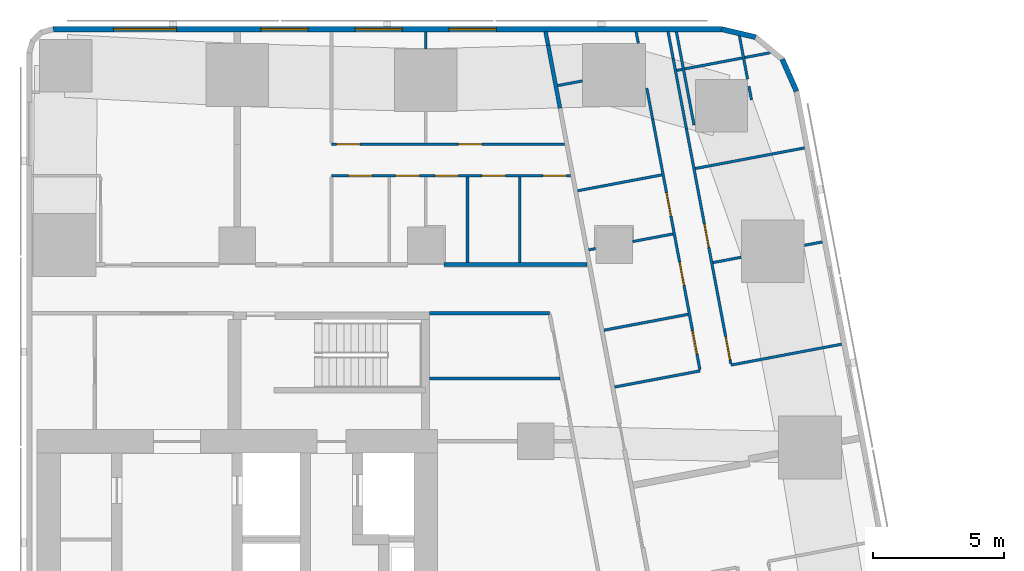
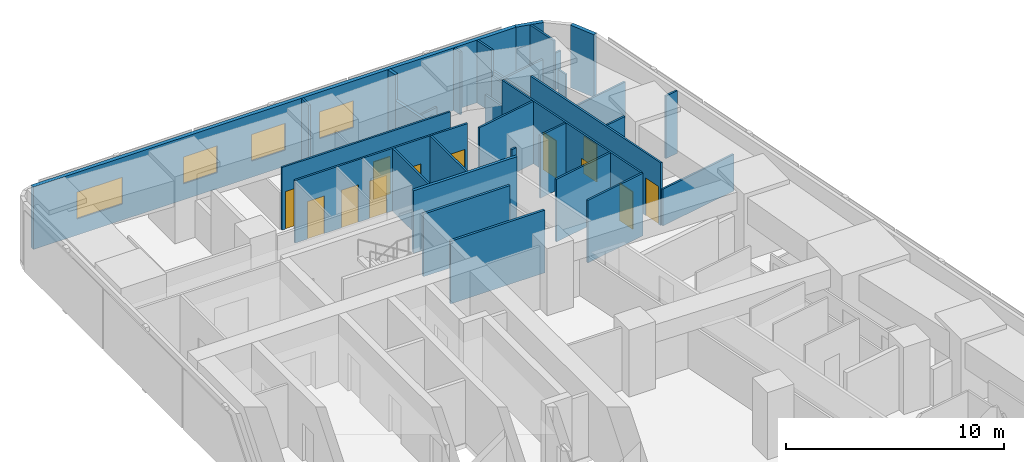
# One storey, part 7 of 10: 33 walls, 12 doors, 4 windows, 16 openings.
"""IFC4 building model written with IfcOpenShell, lengths in metres."""

from ifc_helpers import new_model, si_unit, direction, frame, frame_2d, origin, place, context, subcontext, project, spatial, rectangle, extrude, material, layer, layer_set, type_object, element, fill, save


model = new_model("IFC4")

# Units and contexts
model_context = context("Model", 3, precision=1e-05, world=origin(), true_north=direction((0.0, 1.0)))
body_context = subcontext(model_context, "Body", "Model", "MODEL_VIEW")
ifc_project = project(units=[si_unit("LENGTHUNIT", "METRE"), si_unit("AREAUNIT", "SQUARE_METRE"), si_unit("VOLUMEUNIT", "CUBIC_METRE"), si_unit("PLANEANGLEUNIT", "RADIAN"), si_unit("MASSUNIT", "GRAM", prefix="KILO")], contexts=[model_context])

# Site, building, storey
site_placement = place(None, origin())
site = spatial("IfcSite", under=ifc_project, at=site_placement, CompositionType="ELEMENT")
building_placement = place(site_placement, origin())
building = spatial("IfcBuilding", under=site, at=building_placement, Name="Sheger Commons Tower", CompositionType="ELEMENT")
storey_placement = place(building_placement, frame((0.0, 0.0, 238.699951171875)))
storey = spatial("IfcBuildingStorey", under=building, at=storey_placement, Name="L61", CompositionType="ELEMENT", Elevation=238.699951171875)

# Walls
ifc_material_1 = material(Name="Hollow concrete block masonry, skimmed both sides", Category="masonry")
ifc_layer_1 = layer(ifc_material_1, 0.14990234375)
ifc_layer_set_1 = layer_set([ifc_layer_1], Name="CORRIDOR WALL 150")
wall_type_1 = type_object("IfcWallType", Name="CORRIDOR WALL 150", PredefinedType="SOLIDWALL", material=ifc_layer_set_1)
wall_1_placement = place(storey_placement, frame((29.5009765625, 36.75, 0.0), z_axis=(0.0, 0.0, 1.0), x_axis=(1.0, 0.0, 0.0)))
element("IfcWall", 1, at=wall_1_placement, inside=storey, type_object=wall_type_1, Name="Corridor wall L61", PredefinedType="SOLIDWALL", context=body_context, shape_type="SweptSolid", body=[
    extrude(rectangle(XDim=5.470947265625, YDim=0.14990234375, at=frame_2d((2.7353515625, 0.0))), origin(), (0.0, 0.0, 1.0), 3.5),
])
wall_2_placement = place(storey_placement, frame((33.382080078125, 45.64990234375, 0.0), z_axis=(0.0, 0.0, 1.0), x_axis=(0.185657456326, -0.982614527122, 0.0)))
element("IfcWall", 2, at=wall_2_placement, inside=storey, type_object=wall_type_1, Name="Corridor wall L61", PredefinedType="SOLIDWALL", context=body_context, shape_type="SweptSolid", body=[
    extrude(rectangle(XDim=0.516845703125, YDim=0.14990234375, at=frame_2d((0.25830078125, 0.0))), origin(), (0.0, 0.0, 1.0), 3.5),
])
wall_3_placement = place(storey_placement, frame((33.47802734375, 45.14208984375, 0.0), z_axis=(0.0, 0.0, 1.0), x_axis=(0.185393362436, -0.982664388876, 0.0)))
element("IfcWall", 3, at=wall_3_placement, inside=storey, type_object=wall_type_1, Name="Corridor wall L61", PredefinedType="SOLIDWALL", context=body_context, shape_type="SweptSolid", body=[
    extrude(rectangle(XDim=2.45458984375, YDim=0.14990234375, at=frame_2d((1.227294921875, 0.0))), origin(), (0.0, 0.0, 1.0), 2.050048828125),
])
ifc_material_2 = material(Name="Rendered concrete block masonry, dark grey", Category="masonry")
ifc_layer_2 = layer(ifc_material_2, 0.199951171875)
ifc_layer_set_2 = layer_set([ifc_layer_2], Name="FACADE WALL 200")
wall_type_2 = type_object("IfcWallType", Name="FACADE WALL 200", PredefinedType="SOLIDWALL", material=ifc_layer_set_2)
wall_4_placement = place(storey_placement, frame((42.969970703125, 43.376953125, 0.0), z_axis=(0.0, 0.0, 1.0), x_axis=(-0.406002956633, 0.913871762998, 0.0)))
element("IfcWall", 4, at=wall_4_placement, inside=storey, type_object=wall_type_2, Name="Facade wall L61", PredefinedType="SOLIDWALL", context=body_context, shape_type="SweptSolid", body=[
    extrude(rectangle(XDim=1.33740234375, YDim=0.199951171875, at=frame_2d((0.668701171875, 0.0))), origin(), (0.0, 0.0, 1.0), 3.5),
])
wall_5_placement = place(storey_placement, frame((41.406982421875, 45.444091796875, 0.0), z_axis=(0.0, 0.0, 1.0), x_axis=(-0.973453091607, 0.228886606077, 0.0)))
element("IfcWall", 5, at=wall_5_placement, inside=storey, type_object=wall_type_2, Name="Facade wall L61", PredefinedType="SOLIDWALL", context=body_context, shape_type="SweptSolid", body=[
    extrude(rectangle(XDim=1.33642578125, YDim=0.199951171875, at=frame_2d((0.668212890625, 0.0))), origin(), (0.0, 0.0, 1.0), 3.5),
])

# Wall, openings, windows
wall_6_placement = place(storey_placement, frame((40.10595703125, 45.75, 0.0), z_axis=(0.0, 0.0, 1.0), x_axis=(-1.0, 0.0, 0.0)))
wall_6 = element("IfcWall", 6, at=wall_6_placement, inside=storey, type_object=wall_type_2, Name="Facade wall L61", PredefinedType="SOLIDWALL", context=body_context, shape_type="SweptSolid", body=[
    extrude(rectangle(XDim=25.54296875, YDim=0.199951171875, at=frame_2d((12.771484375, 0.0))), origin(), (0.0, 0.0, 1.0), 3.5),
])
opening_1_placement = place(wall_6_placement, frame((8.60595703125, 0.0, 0.89990234375)))
opening_1 = element("IfcOpeningElement", 7, at=opening_1_placement, cuts=wall_6, Name="Opening W2", PredefinedType="OPENING", context=body_context, shape_type="SweptSolid", body=[
    extrude(rectangle(XDim=1.800048828125, YDim=1.5, at=frame_2d((0.89990234375, 0.75))), frame((0.0, 0.10986328125, 0.0), z_axis=(0.0, -1.0, 0.0), x_axis=(1.0, 0.0, 0.0)), (0.0, 0.0, 1.0), 0.219970703125),
])
opening_2_placement = place(wall_6_placement, frame((12.2060546875, 0.0, 0.89990234375)))
opening_2 = element("IfcOpeningElement", 8, at=opening_2_placement, cuts=wall_6, Name="Opening W2", PredefinedType="OPENING", context=body_context, shape_type="SweptSolid", body=[
    extrude(rectangle(XDim=1.800048828125, YDim=1.5, at=frame_2d((0.89990234375, 0.75))), frame((0.0, 0.10986328125, 0.0), z_axis=(0.0, -1.0, 0.0), x_axis=(1.0, 0.0, 0.0)), (0.0, 0.0, 1.0), 0.219970703125),
])
opening_3_placement = place(wall_6_placement, frame((15.805908203125, 0.0, 0.89990234375)))
opening_3 = element("IfcOpeningElement", 9, at=opening_3_placement, cuts=wall_6, Name="Opening W2", PredefinedType="OPENING", context=body_context, shape_type="SweptSolid", body=[
    extrude(rectangle(XDim=1.800048828125, YDim=1.5, at=frame_2d((0.89990234375, 0.75))), frame((0.0, 0.10986328125, 0.0), z_axis=(0.0, -1.0, 0.0), x_axis=(1.0, 0.0, 0.0)), (0.0, 0.0, 1.0), 0.219970703125),
])
opening_4_placement = place(wall_6_placement, frame((20.824951171875, 0.0, 0.89990234375)))
opening_4 = element("IfcOpeningElement", 10, at=opening_4_placement, cuts=wall_6, Name="Opening W1", PredefinedType="OPENING", context=body_context, shape_type="SweptSolid", body=[
    extrude(rectangle(XDim=2.39990234375, YDim=1.5, at=frame_2d((1.199951171875, 0.75))), frame((0.0, 0.10986328125, 0.0), z_axis=(0.0, -1.0, 0.0), x_axis=(1.0, 0.0, 0.0)), (0.0, 0.0, 1.0), 0.219970703125),
])
ifc_material_3 = material(Name="Black aluminium frame, dark tinted double glazing", Category="aluminium")
window_type_1 = type_object("IfcWindowType", Name="WINDOW W1 2400x1500", PartitioningType="SINGLE_PANEL", PredefinedType="WINDOW", material=ifc_material_3)
window_1_placement = place(opening_4_placement, origin())
window_1 = element("IfcWindow", 11, at=window_1_placement, inside=storey, type_object=window_type_1, Name="Window W1 2400X1500", OverallHeight=1.5, OverallWidth=2.39990234375, PartitioningType="SINGLE_PANEL", PredefinedType="WINDOW", context=body_context, shape_type="SweptSolid", body=[
    extrude(rectangle(XDim=2.39990234375, YDim=1.5, at=frame_2d((1.199951171875, 0.75))), frame((0.0, 0.030029296875, 0.0), z_axis=(0.0, -1.0, 0.0), x_axis=(1.0, 0.0, 0.0)), (0.0, 0.0, 1.0), 0.06005859375),
])
fill(opening_4, window_1)
ifc_material_4 = material(Name="Black aluminium frame, dark tinted double glazing", Category="aluminium")
window_type_2 = type_object("IfcWindowType", Name="WINDOW W2 1800x1500", PartitioningType="SINGLE_PANEL", PredefinedType="WINDOW", material=ifc_material_4)
window_2_placement = place(opening_1_placement, origin())
window_2 = element("IfcWindow", 12, at=window_2_placement, inside=storey, type_object=window_type_2, Name="Window W2 1800X1500", OverallHeight=1.5, OverallWidth=1.800048828125, PartitioningType="SINGLE_PANEL", PredefinedType="WINDOW", context=body_context, shape_type="SweptSolid", body=[
    extrude(rectangle(XDim=1.800048828125, YDim=1.5, at=frame_2d((0.89990234375, 0.75))), frame((0.0, 0.030029296875, 0.0), z_axis=(0.0, -1.0, 0.0), x_axis=(1.0, 0.0, 0.0)), (0.0, 0.0, 1.0), 0.06005859375),
])
fill(opening_1, window_2)
window_3_placement = place(opening_2_placement, origin())
window_3 = element("IfcWindow", 13, at=window_3_placement, inside=storey, type_object=window_type_2, Name="Window W2 1800X1500", OverallHeight=1.5, OverallWidth=1.800048828125, PartitioningType="SINGLE_PANEL", PredefinedType="WINDOW", context=body_context, shape_type="SweptSolid", body=[
    extrude(rectangle(XDim=1.800048828125, YDim=1.5, at=frame_2d((0.89990234375, 0.75))), frame((0.0, 0.030029296875, 0.0), z_axis=(0.0, -1.0, 0.0), x_axis=(1.0, 0.0, 0.0)), (0.0, 0.0, 1.0), 0.06005859375),
])
fill(opening_2, window_3)
window_4_placement = place(opening_3_placement, origin())
window_4 = element("IfcWindow", 14, at=window_4_placement, inside=storey, type_object=window_type_2, Name="Window W2 1800X1500", OverallHeight=1.5, OverallWidth=1.800048828125, PartitioningType="SINGLE_PANEL", PredefinedType="WINDOW", context=body_context, shape_type="SweptSolid", body=[
    extrude(rectangle(XDim=1.800048828125, YDim=1.5, at=frame_2d((0.89990234375, 0.75))), frame((0.0, 0.030029296875, 0.0), z_axis=(0.0, -1.0, 0.0), x_axis=(1.0, 0.0, 0.0)), (0.0, 0.0, 1.0), 0.06005859375),
])
fill(opening_3, window_4)

# Walls
ifc_material_5 = material(Name="Gypsum board on steel studs", Category="steel")
ifc_layer_3 = layer(ifc_material_5, 0.10009765625)
ifc_layer_set_3 = layer_set([ifc_layer_3], Name="PARTITION 100")
wall_type_3 = type_object("IfcWallType", Name="PARTITION 100", PredefinedType="PARTITIONING", material=ifc_layer_set_3)
wall_7_placement = place(storey_placement, frame((39.053955078125, 42.0849609375, 0.0), z_axis=(0.0, 0.0, 1.0), x_axis=(-0.185791584218, 0.982589175207, 0.0)))
element("IfcWall", 15, at=wall_7_placement, inside=storey, type_object=wall_type_3, Name="Partition L61", PredefinedType="PARTITIONING", context=body_context, shape_type="SweptSolid", body=[
    extrude(rectangle(XDim=3.628173828125, YDim=0.10009765625, at=frame_2d((1.81396484375, 0.0))), origin(), (0.0, 0.0, 1.0), 2.050048828125),
])
wall_8_placement = place(storey_placement, frame((40.7890625, 45.487060546875, 0.0), z_axis=(0.0, 0.0, 1.0), x_axis=(0.185572395193, -0.982630594955, 0.0)))
element("IfcWall", 16, at=wall_8_placement, inside=storey, type_object=wall_type_3, Name="Partition L61", PredefinedType="PARTITIONING", context=body_context, shape_type="SweptSolid", body=[
    extrude(rectangle(XDim=1.676025390625, YDim=0.10009765625, at=frame_2d((0.837890625, 0.0))), origin(), (0.0, 0.0, 1.0), 3.5),
])
wall_9_placement = place(storey_placement, frame((41.15087890625, 43.569091796875, 0.0), z_axis=(0.0, 0.0, 1.0), x_axis=(0.186563073924, -0.982442985342, 0.0)))
element("IfcWall", 17, at=wall_9_placement, inside=storey, type_object=wall_type_3, Name="Partition L61", PredefinedType="PARTITIONING", context=body_context, shape_type="SweptSolid", body=[
    extrude(rectangle(XDim=0.53125, YDim=0.10009765625, at=frame_2d((0.265625, 0.0))), origin(), (0.0, 0.0, 1.0), 2.050048828125),
])
wall_10_placement = place(storey_placement, frame((38.06298828125, 45.64990234375, 0.0), z_axis=(0.0, 0.0, 1.0), x_axis=(0.185677287841, -0.982610779902, 0.0)))
element("IfcWall", 18, at=wall_10_placement, inside=storey, type_object=wall_type_3, Name="Partition L61", PredefinedType="PARTITIONING", context=body_context, shape_type="SweptSolid", body=[
    extrude(rectangle(XDim=1.0400390625, YDim=0.10009765625, at=frame_2d((0.52001953125, 0.0))), origin(), (0.0, 0.0, 1.0), 3.5),
])
wall_11_placement = place(storey_placement, frame((38.256103515625, 44.6279296875, 0.0), z_axis=(0.0, 0.0, 1.0), x_axis=(0.185700639943, -0.982606366927, 0.0)))
element("IfcWall", 19, at=wall_11_placement, inside=storey, type_object=wall_type_3, Name="Partition L61", PredefinedType="PARTITIONING", context=body_context, shape_type="SweptSolid", body=[
    extrude(rectangle(XDim=2.734619140625, YDim=0.10009765625, at=frame_2d((1.3671875, 0.0))), origin(), (0.0, 0.0, 1.0), 2.050048828125),
])

# Wall, openings, doors
wall_12_placement = place(storey_placement, frame((38.763916015625, 41.94091796875, 0.0), z_axis=(0.0, 0.0, 1.0), x_axis=(0.185548572312, -0.982635093671, 0.0)))
wall_12 = element("IfcWall", 20, at=wall_12_placement, inside=storey, type_object=wall_type_3, Name="Partition L61", PredefinedType="PARTITIONING", context=body_context, shape_type="SweptSolid", body=[
    extrude(rectangle(XDim=9.135498046875, YDim=0.10009765625, at=frame_2d((4.56787109375, 0.0))), origin(), (0.0, 0.0, 1.0), 3.5),
])
opening_5_placement = place(wall_12_placement, frame((8.0849609375, 0.0, 0.0)))
opening_5 = element("IfcOpeningElement", 21, at=opening_5_placement, cuts=wall_12, Name="Opening D2", PredefinedType="OPENING", context=body_context, shape_type="SweptSolid", body=[
    extrude(rectangle(XDim=0.89990234375, YDim=2.10009765625, at=frame_2d((0.449951171875, 1.050048828125))), frame((0.0, 0.06005859375, 0.0), z_axis=(0.0, -1.0, 0.0), x_axis=(1.0, 0.0, 0.0)), (0.0, 0.0, 1.0), 0.1201171875),
])
opening_6_placement = place(wall_12_placement, frame((3.699951171875, 0.0, 0.0)))
opening_6 = element("IfcOpeningElement", 22, at=opening_6_placement, cuts=wall_12, Name="Opening D2", PredefinedType="OPENING", context=body_context, shape_type="SweptSolid", body=[
    extrude(rectangle(XDim=0.89990234375, YDim=2.10009765625, at=frame_2d((0.449951171875, 1.050048828125))), frame((0.0, 0.06005859375, 0.0), z_axis=(0.0, -1.0, 0.0), x_axis=(1.0, 0.0, 0.0)), (0.0, 0.0, 1.0), 0.1201171875),
])
ifc_material_6 = material(Name="Timber door set", Category="wood")
door_type = type_object("IfcDoorType", Name="INTERNAL DOOR 900x2100", OperationType="NOTDEFINED", PredefinedType="DOOR", material=ifc_material_6)
door_1_placement = place(opening_5_placement, origin())
door_1 = element("IfcDoor", 23, at=door_1_placement, inside=storey, type_object=door_type, Name="Main bedroom door", OperationType="SINGLE_SWING_RIGHT", OverallHeight=2.10009765625, OverallWidth=0.89990234375, PredefinedType="DOOR", context=body_context, shape_type="SweptSolid", body=[
    extrude(rectangle(XDim=0.89990234375, YDim=2.10009765625, at=frame_2d((0.449951171875, 1.050048828125))), frame((0.0, 0.02490234375, 0.0), z_axis=(0.0, -1.0, 0.0), x_axis=(1.0, 0.0, 0.0)), (0.0, 0.0, 1.0), 0.050048828125),
])
fill(opening_5, door_1)
door_2_placement = place(opening_6_placement, origin())
door_2 = element("IfcDoor", 24, at=door_2_placement, inside=storey, type_object=door_type, Name="Bedroom 2 door", OperationType="SINGLE_SWING_RIGHT", OverallHeight=2.10009765625, OverallWidth=0.89990234375, PredefinedType="DOOR", context=body_context, shape_type="SweptSolid", body=[
    extrude(rectangle(XDim=0.89990234375, YDim=2.10009765625, at=frame_2d((0.449951171875, 1.050048828125))), frame((0.0, 0.02490234375, 0.0), z_axis=(0.0, -1.0, 0.0), x_axis=(1.0, 0.0, 0.0)), (0.0, 0.0, 1.0), 0.050048828125),
])
fill(opening_6, door_2)

# Walls
wall_13_placement = place(storey_placement, frame((36.842041015625, 45.64990234375, 0.0), z_axis=(0.0, 0.0, 1.0), x_axis=(0.185407859198, -0.982661653748, 0.0)))
element("IfcWall", 25, at=wall_13_placement, inside=storey, type_object=wall_type_3, Name="Partition L61", PredefinedType="PARTITIONING", context=body_context, shape_type="SweptSolid", body=[
    extrude(rectangle(XDim=0.44775390625, YDim=0.10009765625, at=frame_2d((0.223876953125, 0.0))), origin(), (0.0, 0.0, 1.0), 3.5),
])
wall_14_placement = place(storey_placement, frame((37.2490234375, 43.492919921875, 0.0), z_axis=(0.0, 0.0, 1.0), x_axis=(0.185817643817, -0.982584247404, 0.0)))
element("IfcWall", 26, at=wall_14_placement, inside=storey, type_object=wall_type_3, Name="Partition L61", PredefinedType="PARTITIONING", context=body_context, shape_type="SweptSolid", body=[
    extrude(rectangle(XDim=1.204833984375, YDim=0.10009765625, at=frame_2d((0.6025390625, 0.0))), origin(), (0.0, 0.0, 1.0), 2.050048828125),
])

# Wall, openings, doors
wall_15_placement = place(storey_placement, frame((37.472900390625, 42.30908203125, 0.0), z_axis=(0.0, 0.0, 1.0), x_axis=(0.185491912953, -0.982645790827, 0.0)))
wall_15 = element("IfcWall", 27, at=wall_15_placement, inside=storey, type_object=wall_type_3, Name="Partition L61", PredefinedType="PARTITIONING", context=body_context, shape_type="SweptSolid", body=[
    extrude(rectangle(XDim=9.737060546875, YDim=0.10009765625, at=frame_2d((4.86865234375, 0.0))), origin(), (0.0, 0.0, 1.0), 3.5),
])
opening_7_placement = place(wall_15_placement, frame((8.23193359375, 0.0, 0.0)))
opening_7 = element("IfcOpeningElement", 28, at=opening_7_placement, cuts=wall_15, Name="Opening D2", PredefinedType="OPENING", context=body_context, shape_type="SweptSolid", body=[
    extrude(rectangle(XDim=0.89990234375, YDim=2.10009765625, at=frame_2d((0.449951171875, 1.050048828125))), frame((0.0, 0.06005859375, 0.0), z_axis=(0.0, -1.0, 0.0), x_axis=(1.0, 0.0, 0.0)), (0.0, 0.0, 1.0), 0.1201171875),
])
opening_8_placement = place(wall_15_placement, frame((2.85302734375, 0.0, 0.0)))
opening_8 = element("IfcOpeningElement", 29, at=opening_8_placement, cuts=wall_15, Name="Opening D2", PredefinedType="OPENING", context=body_context, shape_type="SweptSolid", body=[
    extrude(rectangle(XDim=0.89990234375, YDim=2.10009765625, at=frame_2d((0.449951171875, 1.050048828125))), frame((0.0, 0.06005859375, 0.0), z_axis=(0.0, -1.0, 0.0), x_axis=(1.0, 0.0, 0.0)), (0.0, 0.0, 1.0), 0.1201171875),
])
opening_9_placement = place(wall_15_placement, frame((5.56396484375, 0.0, 0.0)))
opening_9 = element("IfcOpeningElement", 30, at=opening_9_placement, cuts=wall_15, Name="Opening D2", PredefinedType="OPENING", context=body_context, shape_type="SweptSolid", body=[
    extrude(rectangle(XDim=0.89990234375, YDim=2.10009765625, at=frame_2d((0.449951171875, 1.050048828125))), frame((0.0, 0.06005859375, 0.0), z_axis=(0.0, -1.0, 0.0), x_axis=(1.0, 0.0, 0.0)), (0.0, 0.0, 1.0), 0.1201171875),
])
door_3_placement = place(opening_7_placement, origin())
door_3 = element("IfcDoor", 31, at=door_3_placement, inside=storey, type_object=door_type, Name="Bathroom door", OperationType="SINGLE_SWING_LEFT", OverallHeight=2.10009765625, OverallWidth=0.89990234375, PredefinedType="DOOR", context=body_context, shape_type="SweptSolid", body=[
    extrude(rectangle(XDim=0.89990234375, YDim=2.10009765625, at=frame_2d((0.449951171875, 1.050048828125))), frame((0.0, 0.02490234375, 0.0), z_axis=(0.0, -1.0, 0.0), x_axis=(1.0, 0.0, 0.0)), (0.0, 0.0, 1.0), 0.050048828125),
])
fill(opening_7, door_3)
door_4_placement = place(opening_8_placement, origin())
door_4 = element("IfcDoor", 32, at=door_4_placement, inside=storey, type_object=door_type, Name="Laundry room door", OperationType="SINGLE_SWING_RIGHT", OverallHeight=2.10009765625, OverallWidth=0.89990234375, PredefinedType="DOOR", context=body_context, shape_type="SweptSolid", body=[
    extrude(rectangle(XDim=0.89990234375, YDim=2.10009765625, at=frame_2d((0.449951171875, 1.050048828125))), frame((0.0, 0.02490234375, 0.0), z_axis=(0.0, -1.0, 0.0), x_axis=(1.0, 0.0, 0.0)), (0.0, 0.0, 1.0), 0.050048828125),
])
fill(opening_8, door_4)
door_5_placement = place(opening_9_placement, origin())
door_5 = element("IfcDoor", 33, at=door_5_placement, inside=storey, type_object=door_type, Name="Store door", OperationType="SINGLE_SWING_RIGHT", OverallHeight=2.10009765625, OverallWidth=0.89990234375, PredefinedType="DOOR", context=body_context, shape_type="SweptSolid", body=[
    extrude(rectangle(XDim=0.89990234375, YDim=2.10009765625, at=frame_2d((0.449951171875, 1.050048828125))), frame((0.0, 0.02490234375, 0.0), z_axis=(0.0, -1.0, 0.0), x_axis=(1.0, 0.0, 0.0)), (0.0, 0.0, 1.0), 0.050048828125),
])
fill(opening_9, door_5)

# Walls
wall_16_placement = place(storey_placement, frame((41.968017578125, 44.85009765625, 0.0), z_axis=(0.0, 0.0, 1.0), x_axis=(-0.98258614234, -0.185807623311, 0.0)))
element("IfcWall", 34, at=wall_16_placement, inside=storey, type_object=wall_type_3, Name="Partition L61", PredefinedType="PARTITIONING", context=body_context, shape_type="SweptSolid", body=[
    extrude(rectangle(XDim=3.638427734375, YDim=0.10009765625, at=frame_2d((1.8193359375, 0.0))), origin(), (0.0, 0.0, 1.0), 2.050048828125),
])
wall_17_placement = place(storey_placement, frame((43.277099609375, 41.2119140625, 0.0), z_axis=(0.0, 0.0, 1.0), x_axis=(-0.982665405803, -0.185387972203, 0.0)))
element("IfcWall", 35, at=wall_17_placement, inside=storey, type_object=wall_type_3, Name="Partition L61", PredefinedType="PARTITIONING", context=body_context, shape_type="SweptSolid", body=[
    extrude(rectangle(XDim=4.249755859375, YDim=0.10009765625, at=frame_2d((2.125, 0.0))), origin(), (0.0, 0.0, 1.0), 2.050048828125),
])
wall_18_placement = place(storey_placement, frame((43.955078125, 37.6201171875, 0.0), z_axis=(0.0, 0.0, 1.0), x_axis=(-0.982495415327, -0.186286765128, 0.0)))
element("IfcWall", 36, at=wall_18_placement, inside=storey, type_object=wall_type_3, Name="Partition L61", PredefinedType="PARTITIONING", context=body_context, shape_type="SweptSolid", body=[
    extrude(rectangle(XDim=0.693359375, YDim=0.10009765625, at=frame_2d((0.3466796875, 0.0))), origin(), (0.0, 0.0, 1.0), 3.5),
])
wall_19_placement = place(storey_placement, frame((40.85400390625, 37.033935546875, 0.0), z_axis=(0.0, 0.0, 1.0), x_axis=(-0.982651678759, -0.185460718839, 0.0)))
element("IfcWall", 37, at=wall_19_placement, inside=storey, type_object=wall_type_3, Name="Partition L61", PredefinedType="PARTITIONING", context=body_context, shape_type="SweptSolid", body=[
    extrude(rectangle(XDim=1.093994140625, YDim=0.10009765625, at=frame_2d((0.546875, 0.0))), origin(), (0.0, 0.0, 1.0), 3.5),
])
wall_20_placement = place(storey_placement, frame((44.693115234375, 33.712890625, 0.0), z_axis=(0.0, 0.0, 1.0), x_axis=(-0.982633535512, -0.185556823879, 0.0)))
element("IfcWall", 38, at=wall_20_placement, inside=storey, type_object=wall_type_3, Name="Partition L61", PredefinedType="PARTITIONING", context=body_context, shape_type="SweptSolid", body=[
    extrude(rectangle(XDim=4.2998046875, YDim=0.10009765625, at=frame_2d((2.14990234375, 0.0))), origin(), (0.0, 0.0, 1.0), 2.050048828125),
])
wall_21_placement = place(storey_placement, frame((34.7900390625, 43.77197265625, 0.0), z_axis=(0.0, 0.0, 1.0), x_axis=(-0.982655532093, -0.185440301034, 0.0)))
element("IfcWall", 39, at=wall_21_placement, inside=storey, type_object=wall_type_3, Name="Partition L61", PredefinedType="PARTITIONING", context=body_context, shape_type="SweptSolid", body=[
    extrude(rectangle(XDim=0.959716796875, YDim=0.10009765625, at=frame_2d((0.47998046875, 0.0))), origin(), (0.0, 0.0, 1.0), 2.050048828125),
])
wall_22_placement = place(storey_placement, frame((37.822998046875, 40.181884765625, 0.0), z_axis=(0.0, 0.0, 1.0), x_axis=(-0.982664729897, -0.18539155487, 0.0)))
element("IfcWall", 40, at=wall_22_placement, inside=storey, type_object=wall_type_3, Name="Partition L61", PredefinedType="PARTITIONING", context=body_context, shape_type="SweptSolid", body=[
    extrude(rectangle(XDim=3.273681640625, YDim=0.10009765625, at=frame_2d((1.63671875, 0.0))), origin(), (0.0, 0.0, 1.0), 3.5),
])
wall_23_placement = place(storey_placement, frame((38.25, 37.925048828125, 0.0), z_axis=(0.0, 0.0, 1.0), x_axis=(-0.982610209589, -0.185680305934, 0.0)))
element("IfcWall", 41, at=wall_23_placement, inside=storey, type_object=wall_type_3, Name="Partition L61", PredefinedType="PARTITIONING", context=body_context, shape_type="SweptSolid", body=[
    extrude(rectangle(XDim=1.5673828125, YDim=0.10009765625, at=frame_2d((0.78369140625, 0.0))), origin(), (0.0, 0.0, 1.0), 3.5),
])
wall_24_placement = place(storey_placement, frame((35.2900390625, 37.365966796875, 0.0), z_axis=(0.0, 0.0, 1.0), x_axis=(-0.982395465615, -0.18681313963, 0.0)))
element("IfcWall", 42, at=wall_24_placement, inside=storey, type_object=wall_type_3, Name="Partition L61", PredefinedType="PARTITIONING", context=body_context, shape_type="SweptSolid", body=[
    extrude(rectangle(XDim=0.2626953125, YDim=0.10009765625, at=frame_2d((0.13134765625, 0.0))), origin(), (0.0, 0.0, 1.0), 3.5),
])
wall_25_placement = place(storey_placement, frame((39.2890625, 32.69189453125, 0.0), z_axis=(0.0, 0.0, 1.0), x_axis=(-0.982633623707, -0.185556356831, 0.0)))
element("IfcWall", 43, at=wall_25_placement, inside=storey, type_object=wall_type_3, Name="Partition L61", PredefinedType="PARTITIONING", context=body_context, shape_type="SweptSolid", body=[
    extrude(rectangle(XDim=3.324951171875, YDim=0.10009765625, at=frame_2d((1.66259765625, 0.0))), origin(), (0.0, 0.0, 1.0), 3.5),
])
wall_26_placement = place(storey_placement, frame((38.8291015625, 34.85498046875, 0.0), z_axis=(0.0, 0.0, 1.0), x_axis=(-0.982610347627, -0.185679575441, 0.0)))
element("IfcWall", 44, at=wall_26_placement, inside=storey, type_object=wall_type_3, Name="Partition L61", PredefinedType="PARTITIONING", context=body_context, shape_type="SweptSolid", body=[
    extrude(rectangle(XDim=3.27392578125, YDim=0.10009765625, at=frame_2d((1.636962890625, 0.0))), origin(), (0.0, 0.0, 1.0), 3.5),
])

# Wall, openings, doors
wall_27_placement = place(storey_placement, frame((25.199951171875, 41.35009765625, 0.0), z_axis=(0.0, 0.0, 1.0), x_axis=(1.0, 0.0, 0.0)))
wall_27 = element("IfcWall", 45, at=wall_27_placement, inside=storey, type_object=wall_type_3, Name="Partition L61", PredefinedType="PARTITIONING", context=body_context, shape_type="SweptSolid", body=[
    extrude(rectangle(XDim=8.907958984375, YDim=0.10009765625, at=frame_2d((4.4541015625, 0.0))), origin(), (0.0, 0.0, 1.0), 3.5),
])
opening_10_placement = place(wall_27_placement, frame((0.199951171875, 0.0, 0.0)))
opening_10 = element("IfcOpeningElement", 46, at=opening_10_placement, cuts=wall_27, Name="Opening D2", PredefinedType="OPENING", context=body_context, shape_type="SweptSolid", body=[
    extrude(rectangle(XDim=0.89990234375, YDim=2.10009765625, at=frame_2d((0.449951171875, 1.050048828125))), frame((0.0, 0.06005859375, 0.0), z_axis=(0.0, -1.0, 0.0), x_axis=(1.0, 0.0, 0.0)), (0.0, 0.0, 1.0), 0.1201171875),
])
opening_11_placement = place(wall_27_placement, frame((4.85009765625, 0.0, 0.0)))
opening_11 = element("IfcOpeningElement", 47, at=opening_11_placement, cuts=wall_27, Name="Opening D2", PredefinedType="OPENING", context=body_context, shape_type="SweptSolid", body=[
    extrude(rectangle(XDim=0.89990234375, YDim=2.10009765625, at=frame_2d((0.449951171875, 1.050048828125))), frame((0.0, 0.06005859375, 0.0), z_axis=(0.0, -1.0, 0.0), x_axis=(1.0, 0.0, 0.0)), (0.0, 0.0, 1.0), 0.1201171875),
])
door_6_placement = place(opening_10_placement, origin())
door_6 = element("IfcDoor", 48, at=door_6_placement, inside=storey, type_object=door_type, Name="Main bedroom door", OperationType="SINGLE_SWING_LEFT", OverallHeight=2.10009765625, OverallWidth=0.89990234375, PredefinedType="DOOR", context=body_context, shape_type="SweptSolid", body=[
    extrude(rectangle(XDim=0.89990234375, YDim=2.10009765625, at=frame_2d((0.449951171875, 1.050048828125))), frame((0.0, 0.02490234375, 0.0), z_axis=(0.0, -1.0, 0.0), x_axis=(1.0, 0.0, 0.0)), (0.0, 0.0, 1.0), 0.050048828125),
])
fill(opening_10, door_6)
door_7_placement = place(opening_11_placement, origin())
door_7 = element("IfcDoor", 49, at=door_7_placement, inside=storey, type_object=door_type, Name="Bedroom 2 door", OperationType="SINGLE_SWING_LEFT", OverallHeight=2.10009765625, OverallWidth=0.89990234375, PredefinedType="DOOR", context=body_context, shape_type="SweptSolid", body=[
    extrude(rectangle(XDim=0.89990234375, YDim=2.10009765625, at=frame_2d((0.449951171875, 1.050048828125))), frame((0.0, 0.02490234375, 0.0), z_axis=(0.0, -1.0, 0.0), x_axis=(1.0, 0.0, 0.0)), (0.0, 0.0, 1.0), 0.050048828125),
])
fill(opening_11, door_7)

wall_28_placement = place(storey_placement, frame((25.199951171875, 40.14990234375, 0.0), z_axis=(0.0, 0.0, 1.0), x_axis=(1.0, 0.0, 0.0)))
wall_28 = element("IfcWall", 50, at=wall_28_placement, inside=storey, type_object=wall_type_3, Name="Partition L61", PredefinedType="PARTITIONING", context=body_context, shape_type="SweptSolid", body=[
    extrude(rectangle(XDim=9.135009765625, YDim=0.10009765625, at=frame_2d((4.5673828125, 0.0))), origin(), (0.0, 0.0, 1.0), 3.5),
])
opening_12_placement = place(wall_28_placement, frame((0.655029296875, 0.0, 0.0)))
opening_12 = element("IfcOpeningElement", 51, at=opening_12_placement, cuts=wall_28, Name="Opening D2", PredefinedType="OPENING", context=body_context, shape_type="SweptSolid", body=[
    extrude(rectangle(XDim=0.89990234375, YDim=2.10009765625, at=frame_2d((0.449951171875, 1.050048828125))), frame((0.0, 0.06005859375, 0.0), z_axis=(0.0, -1.0, 0.0), x_axis=(1.0, 0.0, 0.0)), (0.0, 0.0, 1.0), 0.1201171875),
])
opening_13_placement = place(wall_28_placement, frame((3.949951171875, 0.0, 0.0)))
opening_13 = element("IfcOpeningElement", 52, at=opening_13_placement, cuts=wall_28, Name="Opening D2", PredefinedType="OPENING", context=body_context, shape_type="SweptSolid", body=[
    extrude(rectangle(XDim=0.89990234375, YDim=2.10009765625, at=frame_2d((0.449951171875, 1.050048828125))), frame((0.0, 0.06005859375, 0.0), z_axis=(0.0, -1.0, 0.0), x_axis=(1.0, 0.0, 0.0)), (0.0, 0.0, 1.0), 0.1201171875),
])
opening_14_placement = place(wall_28_placement, frame((8.0810546875, 0.0, 0.0)))
opening_14 = element("IfcOpeningElement", 53, at=opening_14_placement, cuts=wall_28, Name="Opening D2", PredefinedType="OPENING", context=body_context, shape_type="SweptSolid", body=[
    extrude(rectangle(XDim=0.89990234375, YDim=2.10009765625, at=frame_2d((0.449951171875, 1.050048828125))), frame((0.0, 0.06005859375, 0.0), z_axis=(0.0, -1.0, 0.0), x_axis=(1.0, 0.0, 0.0)), (0.0, 0.0, 1.0), 0.1201171875),
])
opening_15_placement = place(wall_28_placement, frame((2.455078125, 0.0, 0.0)))
opening_15 = element("IfcOpeningElement", 54, at=opening_15_placement, cuts=wall_28, Name="Opening D2", PredefinedType="OPENING", context=body_context, shape_type="SweptSolid", body=[
    extrude(rectangle(XDim=0.89990234375, YDim=2.10009765625, at=frame_2d((0.449951171875, 1.050048828125))), frame((0.0, 0.06005859375, 0.0), z_axis=(0.0, -1.0, 0.0), x_axis=(1.0, 0.0, 0.0)), (0.0, 0.0, 1.0), 0.1201171875),
])
opening_16_placement = place(wall_28_placement, frame((5.75, 0.0, 0.0)))
opening_16 = element("IfcOpeningElement", 55, at=opening_16_placement, cuts=wall_28, Name="Opening D2", PredefinedType="OPENING", context=body_context, shape_type="SweptSolid", body=[
    extrude(rectangle(XDim=0.89990234375, YDim=2.10009765625, at=frame_2d((0.449951171875, 1.050048828125))), frame((0.0, 0.06005859375, 0.0), z_axis=(0.0, -1.0, 0.0), x_axis=(1.0, 0.0, 0.0)), (0.0, 0.0, 1.0), 0.1201171875),
])
door_8_placement = place(opening_12_placement, origin())
door_8 = element("IfcDoor", 56, at=door_8_placement, inside=storey, type_object=door_type, Name="Bathroom door", OperationType="SINGLE_SWING_RIGHT", OverallHeight=2.10009765625, OverallWidth=0.89990234375, PredefinedType="DOOR", context=body_context, shape_type="SweptSolid", body=[
    extrude(rectangle(XDim=0.89990234375, YDim=2.10009765625, at=frame_2d((0.449951171875, 1.050048828125))), frame((0.0, 0.02490234375, 0.0), z_axis=(0.0, -1.0, 0.0), x_axis=(1.0, 0.0, 0.0)), (0.0, 0.0, 1.0), 0.050048828125),
])
fill(opening_12, door_8)
door_9_placement = place(opening_13_placement, origin())
door_9 = element("IfcDoor", 57, at=door_9_placement, inside=storey, type_object=door_type, Name="Shower room door", OperationType="SINGLE_SWING_RIGHT", OverallHeight=2.10009765625, OverallWidth=0.89990234375, PredefinedType="DOOR", context=body_context, shape_type="SweptSolid", body=[
    extrude(rectangle(XDim=0.89990234375, YDim=2.10009765625, at=frame_2d((0.449951171875, 1.050048828125))), frame((0.0, 0.02490234375, 0.0), z_axis=(0.0, -1.0, 0.0), x_axis=(1.0, 0.0, 0.0)), (0.0, 0.0, 1.0), 0.050048828125),
])
fill(opening_13, door_9)
door_10_placement = place(opening_14_placement, origin())
door_10 = element("IfcDoor", 58, at=door_10_placement, inside=storey, type_object=door_type, Name="Laundry room door", OperationType="SINGLE_SWING_LEFT", OverallHeight=2.10009765625, OverallWidth=0.89990234375, PredefinedType="DOOR", context=body_context, shape_type="SweptSolid", body=[
    extrude(rectangle(XDim=0.89990234375, YDim=2.10009765625, at=frame_2d((0.449951171875, 1.050048828125))), frame((0.0, 0.02490234375, 0.0), z_axis=(0.0, -1.0, 0.0), x_axis=(1.0, 0.0, 0.0)), (0.0, 0.0, 1.0), 0.050048828125),
])
fill(opening_14, door_10)
door_11_placement = place(opening_15_placement, origin())
door_11 = element("IfcDoor", 59, at=door_11_placement, inside=storey, type_object=door_type, Name="Store door", OperationType="SINGLE_SWING_LEFT", OverallHeight=2.10009765625, OverallWidth=0.89990234375, PredefinedType="DOOR", context=body_context, shape_type="SweptSolid", body=[
    extrude(rectangle(XDim=0.89990234375, YDim=2.10009765625, at=frame_2d((0.449951171875, 1.050048828125))), frame((0.0, 0.02490234375, 0.0), z_axis=(0.0, -1.0, 0.0), x_axis=(1.0, 0.0, 0.0)), (0.0, 0.0, 1.0), 0.050048828125),
])
fill(opening_15, door_11)
door_12_placement = place(opening_16_placement, origin())
door_12 = element("IfcDoor", 60, at=door_12_placement, inside=storey, type_object=door_type, Name="Store door", OperationType="SINGLE_SWING_LEFT", OverallHeight=2.10009765625, OverallWidth=0.89990234375, PredefinedType="DOOR", context=body_context, shape_type="SweptSolid", body=[
    extrude(rectangle(XDim=0.89990234375, YDim=2.10009765625, at=frame_2d((0.449951171875, 1.050048828125))), frame((0.0, 0.02490234375, 0.0), z_axis=(0.0, -1.0, 0.0), x_axis=(1.0, 0.0, 0.0)), (0.0, 0.0, 1.0), 0.050048828125),
])
fill(opening_16, door_12)

# Walls
wall_29_placement = place(storey_placement, frame((28.800048828125, 45.0009765625, 0.0), z_axis=(0.0, 0.0, 1.0), x_axis=(0.0, 1.0, 0.0)))
element("IfcWall", 61, at=wall_29_placement, inside=storey, type_object=wall_type_3, Name="Partition L61", PredefinedType="PARTITIONING", context=body_context, shape_type="SweptSolid", body=[
    extrude(rectangle(XDim=0.64892578125, YDim=0.10009765625, at=frame_2d((0.324462890625, 0.0))), origin(), (0.0, 0.0, 1.0), 3.5),
])
for number, where, z_axis, x_axis, name in (
    (62, (32.39990234375, 36.824951171875, 0.0), (0.0, 0.0, 1.0), (0.0, 1.0, 0.0), "Partition L61"),
    (63, (30.39990234375, 36.824951171875, 0.0), (0.0, 0.0, 1.0), (0.0, 1.0, 0.0), "Partition L61"),
):
    element("IfcWall", number, at=place(storey_placement, frame(where, z_axis=z_axis, x_axis=x_axis)), inside=storey, type_object=wall_type_3, Name=name, PredefinedType="PARTITIONING", context=body_context, shape_type="SweptSolid", body=[
        extrude(rectangle(XDim=3.275146484375, YDim=0.10009765625, at=frame_2d((1.6376953125, 0.0))), origin(), (0.0, 0.0, 1.0), 3.5),
    ])
ifc_material_7 = material(Name="Gypsum board on steel studs, two layers each side, fire rated", Category="steel")
ifc_layer_4 = layer(ifc_material_7, 0.125)
ifc_layer_set_4 = layer_set([ifc_layer_4], Name="SERVICE WALL 125")
wall_type_4 = type_object("IfcWallType", Name="SERVICE WALL 125", PredefinedType="PARTITIONING", material=ifc_layer_set_4)
wall_30_placement = place(storey_placement, frame((28.949951171875, 34.89990234375, 0.0), z_axis=(0.0, 0.0, 1.0), x_axis=(1.0, 0.0, 0.0)))
element("IfcWall", 64, at=wall_30_placement, inside=storey, type_object=wall_type_4, Name="Service room wall L61", PredefinedType="PARTITIONING", context=body_context, shape_type="SweptSolid", body=[
    extrude(rectangle(XDim=4.588134765625, YDim=0.125, at=frame_2d((2.2939453125, 0.0))), origin(), (0.0, 0.0, 1.0), 3.5),
])
wall_31_placement = place(storey_placement, frame((28.949951171875, 32.39990234375, 0.0), z_axis=(0.0, 0.0, 1.0), x_axis=(1.0, 0.0, 0.0)))
element("IfcWall", 65, at=wall_31_placement, inside=storey, type_object=wall_type_4, Name="Service room wall L61", PredefinedType="PARTITIONING", context=body_context, shape_type="SweptSolid", body=[
    extrude(rectangle(XDim=4.97607421875, YDim=0.125, at=frame_2d((2.488037109375, 0.0))), origin(), (0.0, 0.0, 1.0), 3.5),
])

save(model, "model.ifc")
